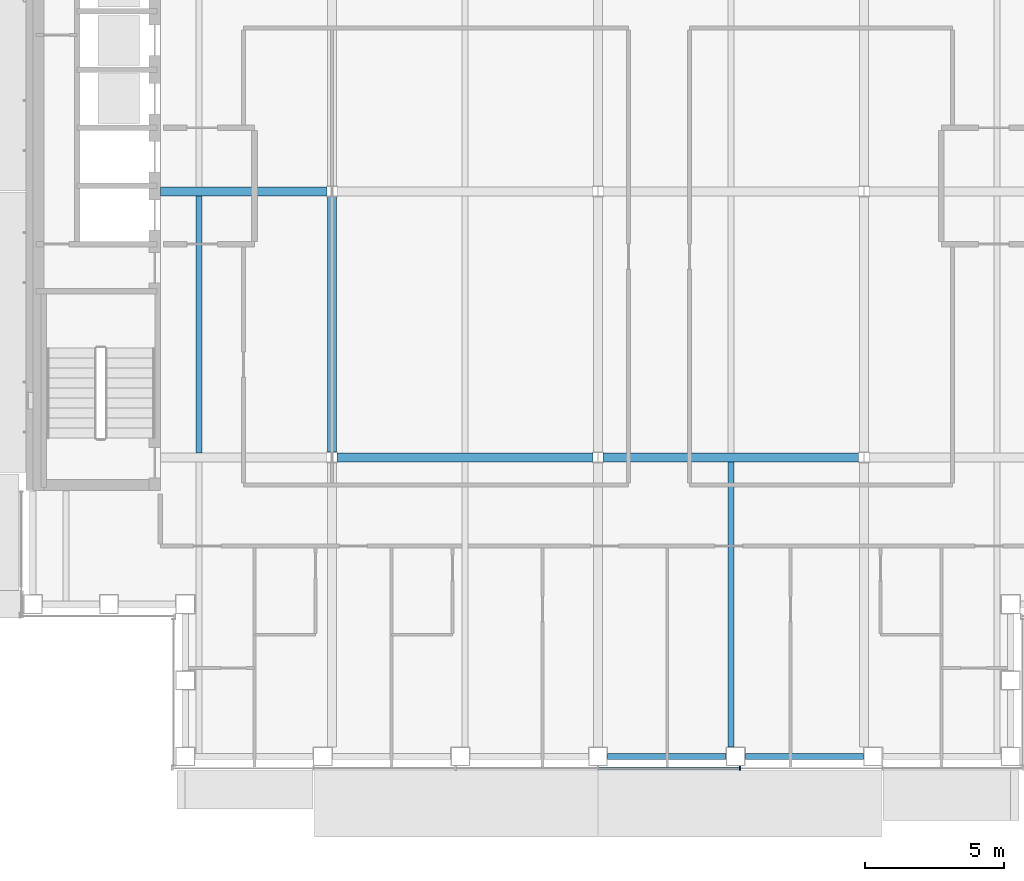
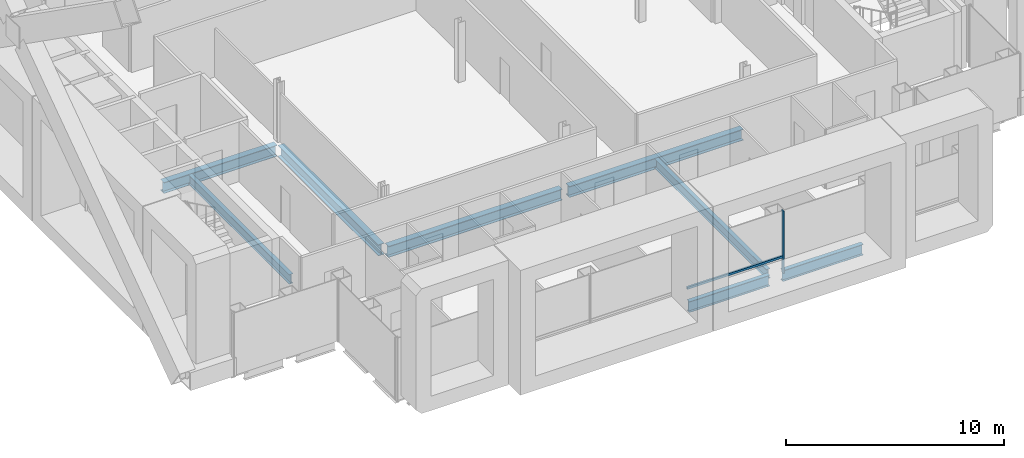
# One storey, part 4 of 21: 8 beams, 2 members, 1 element without a shape of its own.
"""IFC4 building model written with IfcOpenShell, lengths in metres."""

from ifc_helpers import new_model, si_unit, direction, frame, origin, origin_2d, place, context, subcontext, project, spatial, rectangle, i_section, extrude, material, material_profile, profile_set, type_object, element, aggregate, save


model = new_model("IFC4")

# Units and contexts
model_context = context("Model", 3, precision=1e-05, world=origin(), true_north=direction((0.0, 1.0)))
body_context = subcontext(model_context, "Body", "Model", "MODEL_VIEW")
ifc_project = project(units=[si_unit("LENGTHUNIT", "METRE"), si_unit("AREAUNIT", "SQUARE_METRE"), si_unit("VOLUMEUNIT", "CUBIC_METRE"), si_unit("PLANEANGLEUNIT", "RADIAN"), si_unit("MASSUNIT", "GRAM", prefix="KILO")], contexts=[model_context])

# Site, building, storey
site_placement = place(None, origin())
site = spatial("IfcSite", under=ifc_project, at=site_placement, CompositionType="ELEMENT")
building_placement = place(site_placement, origin())
building = spatial("IfcBuilding", under=site, at=building_placement, Name="Cobrizo Arcos Hotel Tower", CompositionType="ELEMENT")
storey_placement = place(building_placement, frame((0.0, 0.0, 212.0)))
storey = spatial("IfcBuildingStorey", under=building, at=storey_placement, Name="L55", CompositionType="ELEMENT", Elevation=212.0)

# Curtain wall, members
ifc_material_1 = material(Name="Aluminium 6063-T6 anodised bronze", Category="aluminium")
curtain_wall_type = type_object("IfcCurtainWallType", Name="CW-A guest facade", PredefinedType="NOTDEFINED", material=ifc_material_1)
curtain_wall_placement = place(storey_placement, origin())
curtain_wall = element("IfcCurtainWall", 1, at=curtain_wall_placement, inside=storey, type_object=curtain_wall_type, Name="CW-A L55 S face", PredefinedType="NOTDEFINED")
ifc_material_profile_1 = material_profile(ifc_material_1, rectangle(XDim=0.14990234375, YDim=0.06005859375, at=origin_2d()), Name="CW-A mullion 150x60")
ifc_profile_set_1 = profile_set([ifc_material_profile_1], Name="Aluminium 6063-T6 anodised bronze")
member_type_1 = type_object("IfcMemberType", Name="CW-A mullion 150x60", PredefinedType="MULLION", material=ifc_profile_set_1)
member_1_placement = place(storey_placement, frame((5.13330078125, -20.824951171875, 0.0), z_axis=(0.0, 0.0, 1.0), x_axis=(0.0, -1.0, 0.0)))
member_1 = element("IfcMember", 2, at=member_1_placement, type_object=member_type_1, Name="CW-A mullion 5", PredefinedType="MULLION", context=body_context, shape_type="SweptSolid", body=[
    extrude(rectangle(XDim=0.14990234375, YDim=0.06005859375, at=origin_2d()), origin(), (0.0, 0.0, 1.0), 3.5),
])
ifc_material_profile_2 = material_profile(ifc_material_1, rectangle(XDim=0.10009765625, YDim=0.1201171875, at=origin_2d()), Name="CW-A transom 120x100")
ifc_profile_set_2 = profile_set([ifc_material_profile_2], Name="Aluminium 6063-T6 anodised bronze")
member_type_2 = type_object("IfcMemberType", Name="CW-A transom 120x100", PredefinedType="USERDEFINED", material=ifc_profile_set_2)
member_2_placement = place(storey_placement, frame((0.030029296875, -20.824951171875, 0.929931640625), z_axis=(1.0, 0.0, 0.0), x_axis=(0.0, 1.0, 0.0)))
member_2 = element("IfcMember", 3, at=member_2_placement, type_object=member_type_2, Name="CW-A transom 1843", ObjectType="TRANSOM", PredefinedType="USERDEFINED", context=body_context, shape_type="SweptSolid", body=[
    extrude(rectangle(XDim=0.10009765625, YDim=0.1201171875, at=origin_2d()), origin(), (0.0, 0.0, 1.0), 5.0732421875),
])
aggregate(curtain_wall, [member_1, member_2])

# Beams
ifc_material_2 = material(Name="Steel ASTM A992 Grade 50", Category="steel")
ifc_material_profile_3 = material_profile(ifc_material_2, i_section(OverallWidth=0.209228515625, OverallDepth=0.533447265625, WebThickness=0.01025390625, FlangeThickness=0.015625, at=origin_2d()), Name="W21X62")
ifc_profile_set_3 = profile_set([ifc_material_profile_3], Name="Steel ASTM A992 Grade 50")
beam_type_1 = type_object("IfcBeamType", Name="W21X62 joist", PredefinedType="JOIST", material=ifc_profile_set_3)
beam_1_placement = place(storey_placement, frame((-14.39990234375, -9.43603515625, -0.416748046875), z_axis=(0.0, 1.0, 0.0), x_axis=(-1.0, 0.0, 0.0)))
element("IfcBeam", 4, at=beam_1_placement, inside=storey, type_object=beam_type_1, Name="Floor joist J1, L55, no. 004", PredefinedType="JOIST", context=body_context, shape_type="SweptSolid", body=[
    extrude(i_section(OverallWidth=0.209228515625, OverallDepth=0.533447265625, WebThickness=0.01025390625, FlangeThickness=0.015625, at=origin_2d()), origin(), (0.0, 0.0, 1.0), 9.272216796875),
])
beam_2_placement = place(storey_placement, frame((4.800048828125, -20.050048828125, -0.416748046875), z_axis=(0.0, 1.0, 0.0), x_axis=(-1.0, 0.0, 0.0)))
element("IfcBeam", 5, at=beam_2_placement, inside=storey, type_object=beam_type_1, Name="Floor joist J1, L55, no. 011", PredefinedType="JOIST", context=body_context, shape_type="SweptSolid", body=[
    extrude(i_section(OverallWidth=0.209228515625, OverallDepth=0.533447265625, WebThickness=0.01025390625, FlangeThickness=0.015625, at=origin_2d()), origin(), (0.0, 0.0, 1.0), 10.2861328125),
])
ifc_material_profile_4 = material_profile(ifc_material_2, i_section(OverallWidth=0.32763671875, OverallDepth=0.622314453125, WebThickness=0.015380859375, FlangeThickness=0.0244140625, at=origin_2d()), Name="W24X131")
ifc_profile_set_4 = profile_set([ifc_material_profile_4], Name="Steel ASTM A992 Grade 50")
beam_type_2 = type_object("IfcBeamType", Name="W24X131 girder", PredefinedType="BEAM", material=ifc_profile_set_4)
for number, where, z_axis, x_axis, name in (
    (6, (-9.413330078125, -9.60009765625, -0.461181640625), (1.0, 0.0, 0.0), (0.0, 1.0, 0.0), "Floor girder G1, L55, no. 002"),
    (7, (0.186767578125, -9.60009765625, -0.461181640625), (1.0, 0.0, 0.0), (0.0, 1.0, 0.0), "Floor girder G1, L55, no. 003"),
):
    element("IfcBeam", number, at=place(storey_placement, frame(where, z_axis=z_axis, x_axis=x_axis)), inside=storey, type_object=beam_type_2, Name=name, PredefinedType="BEAM", context=body_context, shape_type="SweptSolid", body=[
        extrude(i_section(OverallWidth=0.32763671875, OverallDepth=0.622314453125, WebThickness=0.015380859375, FlangeThickness=0.0244140625, at=origin_2d()), origin(), (0.0, 0.0, 1.0), 9.2265625),
    ])
beam_3_placement = place(storey_placement, frame((-15.7900390625, 0.0, -0.461181640625), z_axis=(1.0, 0.0, 0.0), x_axis=(0.0, 1.0, 0.0)))
element("IfcBeam", 8, at=beam_3_placement, inside=storey, type_object=beam_type_2, Name="Floor girder G1, L55, no. 005", PredefinedType="BEAM", context=body_context, shape_type="SweptSolid", body=[
    extrude(i_section(OverallWidth=0.32763671875, OverallDepth=0.622314453125, WebThickness=0.015380859375, FlangeThickness=0.0244140625, at=origin_2d()), origin(), (0.0, 0.0, 1.0), 6.00341796875),
])
beam_4_placement = place(storey_placement, frame((-9.60009765625, -9.413330078125, -0.461181640625), z_axis=(0.0, 1.0, 0.0), x_axis=(-1.0, 0.0, 0.0)))
element("IfcBeam", 9, at=beam_4_placement, inside=storey, type_object=beam_type_2, Name="Floor girder G1, L55, no. 014", PredefinedType="BEAM", context=body_context, shape_type="SweptSolid", body=[
    extrude(i_section(OverallWidth=0.32763671875, OverallDepth=0.622314453125, WebThickness=0.015380859375, FlangeThickness=0.0244140625, at=origin_2d()), origin(), (0.0, 0.0, 1.0), 9.2265625),
])
ifc_material_profile_5 = material_profile(ifc_material_2, i_section(OverallWidth=0.228271484375, OverallDepth=0.607177734375, WebThickness=0.01123046875, FlangeThickness=0.017333984375, at=origin_2d()), Name="W24X76")
ifc_profile_set_5 = profile_set([ifc_material_profile_5], Name="Steel ASTM A992 Grade 50")
beam_type_3 = type_object("IfcBeamType", Name="W24X76 spandrel", PredefinedType="SPANDREL", material=ifc_profile_set_5)
beam_5_placement = place(storey_placement, frame((0.35009765625, -20.39990234375, -0.45361328125), z_axis=(1.0, 0.0, 0.0), x_axis=(0.0, 1.0, 0.0)))
element("IfcBeam", 10, at=beam_5_placement, inside=storey, type_object=beam_type_3, Name="Spandrel beam W24X76, L55, no. 004", PredefinedType="SPANDREL", context=body_context, shape_type="SweptSolid", body=[
    extrude(i_section(OverallWidth=0.228271484375, OverallDepth=0.607177734375, WebThickness=0.01123046875, FlangeThickness=0.017333984375, at=origin_2d()), origin(), (0.0, 0.0, 1.0), 4.266845703125),
])
beam_6_placement = place(storey_placement, frame((5.31689453125, -20.39990234375, -0.45361328125), z_axis=(1.0, 0.0, 0.0), x_axis=(0.0, 1.0, 0.0)))
element("IfcBeam", 11, at=beam_6_placement, inside=storey, type_object=beam_type_3, Name="Spandrel beam W24X76, L55, no. 005", PredefinedType="SPANDREL", context=body_context, shape_type="SweptSolid", body=[
    extrude(i_section(OverallWidth=0.228271484375, OverallDepth=0.607177734375, WebThickness=0.01123046875, FlangeThickness=0.017333984375, at=origin_2d()), origin(), (0.0, 0.0, 1.0), 4.26611328125),
])

save(model, "model.ifc")
